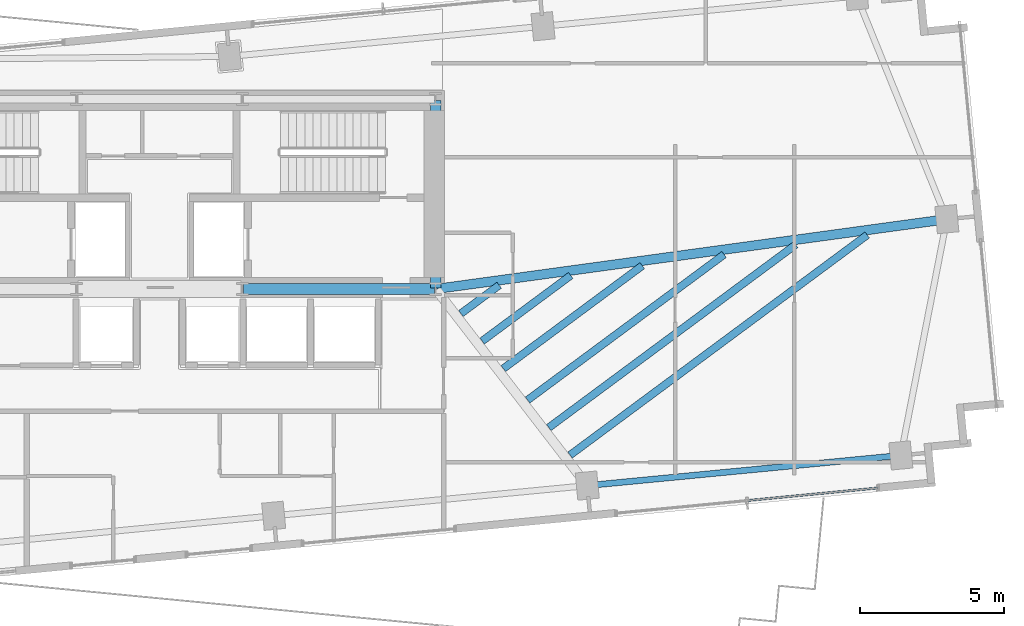
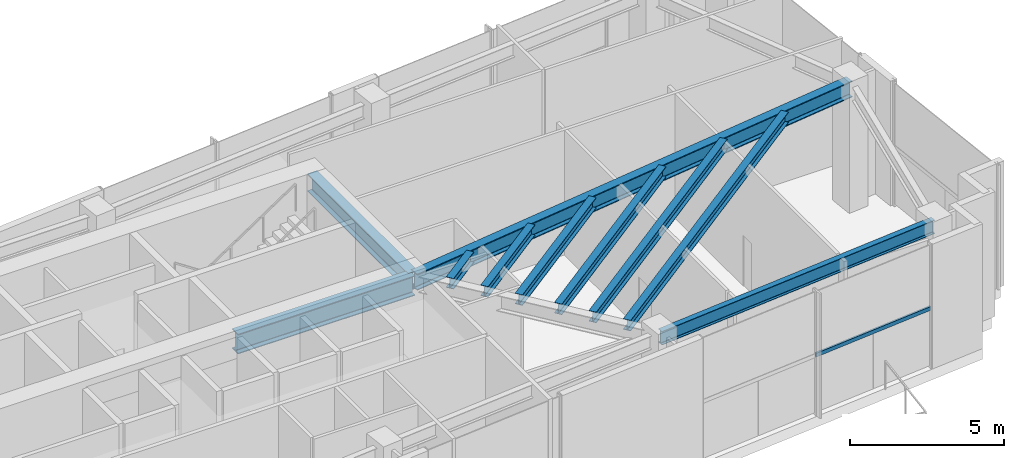
# One storey, part 9 of 21: 10 beams, 1 member, 1 element without a shape of its own.
"""IFC4 building model written with IfcOpenShell, lengths in metres."""

from ifc_helpers import new_model, si_unit, direction, frame, origin, origin_2d, place, context, subcontext, project, spatial, hollow_rectangle, i_section, extrude, source, transform, mapped, material, material_profile, profile_set, type_object, type_shapes, element, aggregate, save


model = new_model("IFC4")

# Units and contexts
model_context = context("Model", 3, precision=1e-05, world=origin(), true_north=direction((0.0, 1.0)))
body_context = subcontext(model_context, "Body", "Model", "MODEL_VIEW")
ifc_project = project(units=[si_unit("LENGTHUNIT", "METRE"), si_unit("AREAUNIT", "SQUARE_METRE"), si_unit("VOLUMEUNIT", "CUBIC_METRE"), si_unit("PLANEANGLEUNIT", "RADIAN"), si_unit("MASSUNIT", "GRAM", prefix="KILO")], contexts=[model_context])

# Site, building, storey
site_placement = place(None, origin())
site = spatial("IfcSite", under=ifc_project, at=site_placement, CompositionType="ELEMENT")
building_placement = place(site_placement, origin())
building = spatial("IfcBuilding", under=site, at=building_placement, Name="Astriad Promenade Condominiums", CompositionType="ELEMENT")
storey_placement = place(building_placement, frame((0.0, 0.0, 167.800048828125)))
storey = spatial("IfcBuildingStorey", under=building, at=storey_placement, Name="L48", CompositionType="ELEMENT", Elevation=167.800048828125)

# Beams
ifc_material_1 = material(Name="Steel ASTM A992 Grade 50", Category="steel")
ifc_material_profile_1 = material_profile(ifc_material_1, i_section(OverallWidth=0.3837890625, OverallDepth=0.785888671875, WebThickness=0.019775390625, FlangeThickness=0.033447265625, FilletRadius=0.021484375, at=origin_2d()), Name="W30X211")
ifc_profile_set_1 = profile_set([ifc_material_profile_1], Name="Steel ASTM A992 Grade 50")
beam_type_1 = type_object("IfcBeamType", Name="STEEL FLOOR GIRDER W30X211", PredefinedType="BEAM", material=ifc_profile_set_1)
shared_shape_1 = source(origin(), body_context, "Body", "SweptSolid", [
    extrude(i_section(OverallWidth=0.3837890625, OverallDepth=0.785888671875, WebThickness=0.019775390625, FlangeThickness=0.033447265625, FilletRadius=0.021484375, at=origin_2d()), origin(), (0.0, 0.0, 1.0), 6.64013671875),
])
type_shapes(beam_type_1, [shared_shape_1])
beam_1_placement = place(storey_placement, frame((38.919921875, 17.39990234375, 4.546875), z_axis=(1.0, 0.0, 0.0), x_axis=(0.0, 1.0, 0.0)))
element("IfcBeam", 1, at=beam_1_placement, inside=storey, type_object=beam_type_1, Name="Core Ring Beam CG-S3-L48", PredefinedType="BEAM", context=body_context, shape_type="MappedRepresentation", body=[
    mapped(shared_shape_1, transform((0.0, 0.0, 0.0), scale=1.0)),
])
ifc_material_profile_2 = material_profile(ifc_material_1, i_section(OverallWidth=0.35791015625, OverallDepth=0.706298828125, WebThickness=0.018310546875, FlangeThickness=0.0302734375, FilletRadius=0.020263671875, at=origin_2d()), Name="W27X178")
ifc_profile_set_2 = profile_set([ifc_material_profile_2], Name="Steel ASTM A992 Grade 50")
beam_type_2 = type_object("IfcBeamType", Name="STEEL FLOOR GIRDER W27X178", PredefinedType="BEAM", material=ifc_profile_set_2)
shared_shape_2 = source(origin(), body_context, "Body", "SweptSolid", [
    extrude(i_section(OverallWidth=0.35791015625, OverallDepth=0.706298828125, WebThickness=0.018310546875, FlangeThickness=0.0302734375, FilletRadius=0.020263671875, at=origin_2d()), origin(), (0.0, 0.0, 1.0), 6.52001953125),
])
type_shapes(beam_type_2, [shared_shape_2])
beam_2_placement = place(storey_placement, frame((45.60009765625, 17.43994140625, 4.586669921875), z_axis=(0.0, 1.0, 0.0), x_axis=(-1.0, 0.0, 0.0)))
element("IfcBeam", 2, at=beam_2_placement, inside=storey, type_object=beam_type_2, Name="Core Ring Beam CG-E1-L48", PredefinedType="BEAM", context=body_context, shape_type="MappedRepresentation", body=[
    mapped(shared_shape_2, transform((0.0, 0.0, 0.0), scale=1.0)),
])
ifc_material_profile_3 = material_profile(ifc_material_1, i_section(OverallWidth=0.210693359375, OverallDepth=0.53955078125, WebThickness=0.01171875, FlangeThickness=0.018798828125, FilletRadius=0.0166015625, at=origin_2d()), Name="W21X73")
ifc_profile_set_3 = profile_set([ifc_material_profile_3], Name="Steel ASTM A992 Grade 50")
beam_type_3 = type_object("IfcBeamType", Name="STEEL SPANDREL BEAM W21X73", PredefinedType="SPANDREL", material=ifc_profile_set_3)
shared_shape_3 = source(origin(), body_context, "Body", "SweptSolid", [
    extrude(i_section(OverallWidth=0.210693359375, OverallDepth=0.53955078125, WebThickness=0.01171875, FlangeThickness=0.018798828125, FilletRadius=0.0166015625, at=origin_2d()), origin(), (0.0, 0.0, 1.0), 10.869873046875),
])
type_shapes(beam_type_3, [shared_shape_3])
beam_3_placement = place(storey_placement, frame((50.908203125, 10.5703125, 4.670166015625), z_axis=(0.995396922692, 0.095838229819, 0.0), x_axis=(-0.095838229819, 0.995396922692, 0.0)))
element("IfcBeam", 3, at=beam_3_placement, inside=storey, type_object=beam_type_3, Name="Perimeter Spandrel Beam SP-S4-L48", PredefinedType="SPANDREL", context=body_context, shape_type="MappedRepresentation", body=[
    mapped(shared_shape_3, transform((0.0, 0.0, 0.0), scale=1.0)),
])
ifc_material_profile_4 = material_profile(ifc_material_1, i_section(OverallWidth=0.327392578125, OverallDepth=0.640625, WebThickness=0.01904296875, FlangeThickness=0.033935546875, FilletRadius=0.017822265625, at=origin_2d()), Name="W24X176")
ifc_profile_set_4 = profile_set([ifc_material_profile_4], Name="Steel ASTM A992 Grade 50")
beam_type_4 = type_object("IfcBeamType", Name="STEEL FLOOR GIRDER W24X176", PredefinedType="BEAM", material=ifc_profile_set_4)
shared_shape_4 = source(origin(), body_context, "Body", "SweptSolid", [
    extrude(i_section(OverallWidth=0.327392578125, OverallDepth=0.640625, WebThickness=0.01904296875, FlangeThickness=0.033935546875, FilletRadius=0.017822265625, at=origin_2d()), origin(), (0.0, 0.0, 1.0), 17.853271484375),
])
type_shapes(beam_type_4, [shared_shape_4])
beam_4_placement = place(storey_placement, frame((63.32861328125, 19.82177734375, 4.61962890625), z_axis=(-0.990799186345, -0.135340209612, 0.0), x_axis=(0.135340209612, -0.990799186345, 0.0)))
element("IfcBeam", 4, at=beam_4_placement, inside=storey, type_object=beam_type_4, Name="Primary Floor Girder PG-EM-L48", PredefinedType="BEAM", context=body_context, shape_type="MappedRepresentation", body=[
    mapped(shared_shape_4, transform((0.0, 0.0, 0.0), scale=1.0)),
])
ifc_material_profile_5 = material_profile(ifc_material_1, i_section(OverallWidth=0.26318359375, OverallDepth=0.425537109375, WebThickness=0.01318359375, FlangeThickness=0.022216796875, FilletRadius=0.013916015625, at=origin_2d()), Name="W16X89")
ifc_profile_set_5 = profile_set([ifc_material_profile_5], Name="Steel ASTM A992 Grade 50")
beam_type_5 = type_object("IfcBeamType", Name="STEEL FLOOR JOIST W16X89", PredefinedType="JOIST", material=ifc_profile_set_5)
shared_shape_5 = source(origin(), body_context, "Body", "SweptSolid", [
    extrude(i_section(OverallWidth=0.26318359375, OverallDepth=0.425537109375, WebThickness=0.01318359375, FlangeThickness=0.022216796875, FilletRadius=0.013916015625, at=origin_2d()), origin(), (0.0, 0.0, 1.0), 12.85498046875),
])
beam_5_placement = place(storey_placement, frame((50.27001953125, 11.626220703125, 4.727294921875), z_axis=(0.803505042716, 0.595297947526, 0.0), x_axis=(-0.595297947526, 0.803505042716, 0.0)))
element("IfcBeam", 5, at=beam_5_placement, inside=storey, type_object=beam_type_5, Name="Secondary Composite Floor Joist JE1-1-L48", PredefinedType="JOIST", context=body_context, shape_type="MappedRepresentation", body=[
    mapped(shared_shape_5, transform((0.0, 0.0, 0.0), scale=1.0)),
])
shared_shape_6 = source(origin(), body_context, "Body", "SweptSolid", [
    extrude(i_section(OverallWidth=0.26318359375, OverallDepth=0.425537109375, WebThickness=0.01318359375, FlangeThickness=0.022216796875, FilletRadius=0.013916015625, at=origin_2d()), origin(), (0.0, 0.0, 1.0), 10.677001953125),
])
beam_6_placement = place(storey_placement, frame((49.532470703125, 12.5830078125, 4.727294921875), z_axis=(0.803509393025, 0.595292075641, 0.0), x_axis=(-0.595292075641, 0.803509393025, 0.0)))
element("IfcBeam", 6, at=beam_6_placement, inside=storey, type_object=beam_type_5, Name="Secondary Composite Floor Joist JE1-2-L48", PredefinedType="JOIST", context=body_context, shape_type="MappedRepresentation", body=[
    mapped(shared_shape_6, transform((0.0, 0.0, 0.0), scale=1.0)),
])
shared_shape_7 = source(origin(), body_context, "Body", "SweptSolid", [
    extrude(i_section(OverallWidth=0.26318359375, OverallDepth=0.425537109375, WebThickness=0.01318359375, FlangeThickness=0.022216796875, FilletRadius=0.013916015625, at=origin_2d()), origin(), (0.0, 0.0, 1.0), 8.4990234375),
])
beam_7_placement = place(storey_placement, frame((48.794921875, 13.539794921875, 4.727294921875), z_axis=(0.803515972929, 0.595283194159, 0.0), x_axis=(-0.595283194159, 0.803515972929, 0.0)))
element("IfcBeam", 7, at=beam_7_placement, inside=storey, type_object=beam_type_5, Name="Secondary Composite Floor Joist JE1-3-L48", PredefinedType="JOIST", context=body_context, shape_type="MappedRepresentation", body=[
    mapped(shared_shape_7, transform((0.0, 0.0, 0.0), scale=1.0)),
])
shared_shape_8 = source(origin(), body_context, "Body", "SweptSolid", [
    extrude(i_section(OverallWidth=0.26318359375, OverallDepth=0.425537109375, WebThickness=0.01318359375, FlangeThickness=0.022216796875, FilletRadius=0.013916015625, at=origin_2d()), origin(), (0.0, 0.0, 1.0), 6.01025390625),
])
beam_8_placement = place(storey_placement, frame((47.951904296875, 14.633056640625, 4.727294921875), z_axis=(0.803510418138, 0.595290691968, 0.0), x_axis=(-0.595290691968, 0.803510418138, 0.0)))
element("IfcBeam", 8, at=beam_8_placement, inside=storey, type_object=beam_type_5, Name="Secondary Composite Floor Joist JE1-4-L48", PredefinedType="JOIST", context=body_context, shape_type="MappedRepresentation", body=[
    mapped(shared_shape_8, transform((0.0, 0.0, 0.0), scale=1.0)),
])
shared_shape_9 = source(origin(), body_context, "Body", "SweptSolid", [
    extrude(i_section(OverallWidth=0.26318359375, OverallDepth=0.425537109375, WebThickness=0.01318359375, FlangeThickness=0.022216796875, FilletRadius=0.013916015625, at=origin_2d()), origin(), (0.0, 0.0, 1.0), 3.832275390625),
])
beam_9_placement = place(storey_placement, frame((47.21435546875, 15.58984375, 4.727294921875), z_axis=(0.803525593062, 0.59527020864, 0.0), x_axis=(-0.59527020864, 0.803525593062, 0.0)))
element("IfcBeam", 9, at=beam_9_placement, inside=storey, type_object=beam_type_5, Name="Secondary Composite Floor Joist JE1-5-L48", PredefinedType="JOIST", context=body_context, shape_type="MappedRepresentation", body=[
    mapped(shared_shape_9, transform((0.0, 0.0, 0.0), scale=1.0)),
])
shared_shape_10 = source(origin(), body_context, "Body", "SweptSolid", [
    extrude(i_section(OverallWidth=0.26318359375, OverallDepth=0.425537109375, WebThickness=0.01318359375, FlangeThickness=0.022216796875, FilletRadius=0.013916015625, at=origin_2d()), origin(), (0.0, 0.0, 1.0), 1.654541015625),
])
type_shapes(beam_type_5, [shared_shape_5, shared_shape_6, shared_shape_7, shared_shape_8, shared_shape_9, shared_shape_10])
beam_10_placement = place(storey_placement, frame((46.476806640625, 16.54638671875, 4.727294921875), z_axis=(0.803510136239, 0.595291072468, 0.0), x_axis=(-0.595291072468, 0.803510136239, 0.0)))
element("IfcBeam", 10, at=beam_10_placement, inside=storey, type_object=beam_type_5, Name="Secondary Composite Floor Joist JE1-6-L48", PredefinedType="JOIST", context=body_context, shape_type="MappedRepresentation", body=[
    mapped(shared_shape_10, transform((0.0, 0.0, 0.0), scale=1.0)),
])

# Curtain wall, member
ifc_material_2 = material(Name="Anodised aluminium Black Dark Glass Unitised", Category="aluminium")
curtain_wall_type = type_object("IfcCurtainWallType", Name="CW-B34-DARK", PredefinedType="USERDEFINED", material=ifc_material_2)
curtain_wall_placement = place(storey_placement, origin())
curtain_wall = element("IfcCurtainWall", 11, at=curtain_wall_placement, inside=storey, type_object=curtain_wall_type, Name="CW-L48-S-1", ObjectType="UNITISED_CURTAIN_WALL", PredefinedType="USERDEFINED")
ifc_material_3 = material(Name="Anodised aluminium 6063-T6 Black", Category="aluminium")
ifc_material_profile_6 = material_profile(ifc_material_3, hollow_rectangle(XDim=0.074951171875, YDim=0.14990234375, WallThickness=0.004150390625, at=origin_2d()), Name="ALU-TRN-75X150")
ifc_profile_set_6 = profile_set([ifc_material_profile_6], Name="Anodised aluminium 6063-T6 Black")
member_type = type_object("IfcMemberType", Name="TRN-ALU-TRN-75X150", PredefinedType="USERDEFINED", material=ifc_profile_set_6)
shared_shape_11 = source(origin(), body_context, "Body", "SweptSolid", [
    extrude(hollow_rectangle(XDim=0.074951171875, YDim=0.14990234375, WallThickness=0.004150390625, at=origin_2d()), origin(), (0.0, 0.0, 1.0), 4.574951171875),
])
type_shapes(member_type, [shared_shape_11])
member_placement = place(storey_placement, frame((60.97265625, 10.484619140625, 2.349853515625), z_axis=(-0.995391511384, -0.095894416231, 0.0), x_axis=(0.095894416231, -0.995391511384, 0.0)))
member = element("IfcMember", 12, at=member_placement, type_object=member_type, Name="CW-L48-S-1-TRN-00-0", ObjectType="TRANSOM", PredefinedType="USERDEFINED", context=body_context, shape_type="MappedRepresentation", body=[
    mapped(shared_shape_11, transform((0.0, 0.0, 0.0), scale=1.0)),
])
aggregate(curtain_wall, [member])

save(model, "model.ifc")
